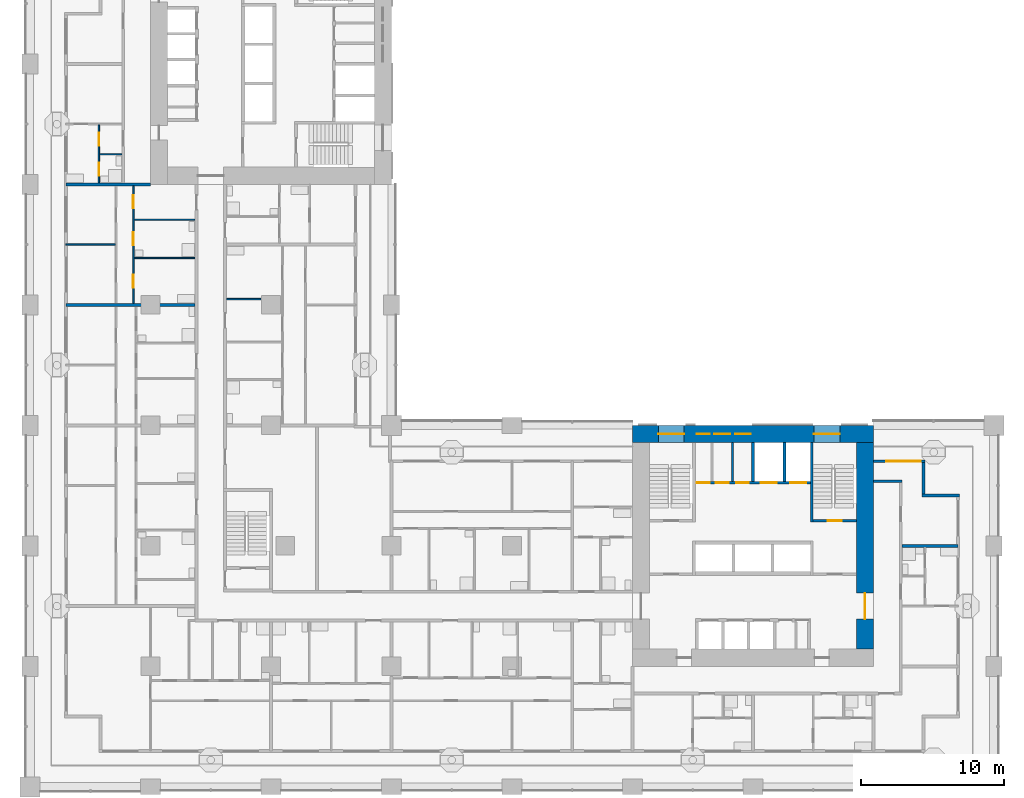
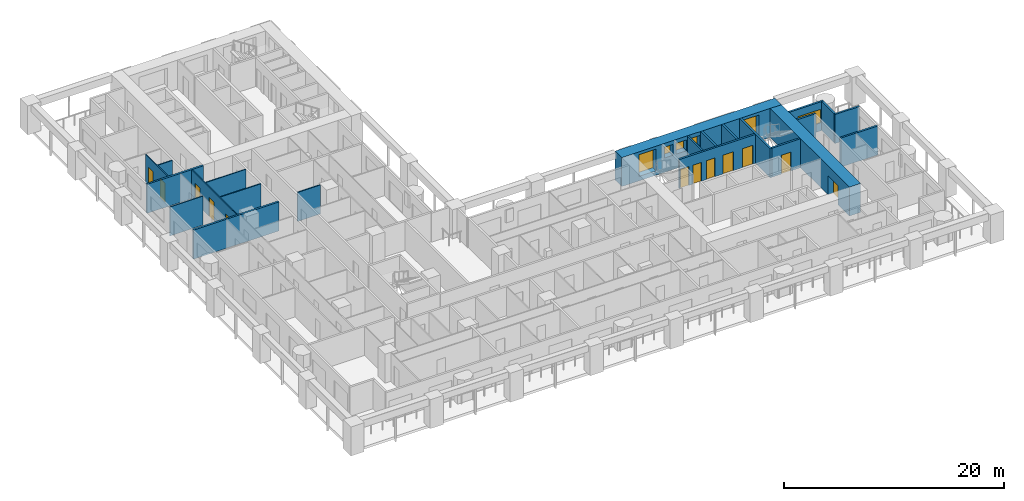
# One storey, part 8 of 22: 22 walls, 12 doors, 6 windows, 18 openings.
"""IFC4 building model written with IfcOpenShell, lengths in metres."""

import ifcopenshell
import ifcopenshell.guid

model = None  # the IFC model being written
_history = None  # IfcOwnerHistory: only IFC2X3 demands one
_inside = {}  # id of a spatial element -> (the spatial element, [elements in it])
_under = {}  # id of a project, library or spatial element -> (it, [spatial elements below it])
_declared = {}  # id of a project -> (the project, [libraries it declares])
_typed = {}  # id of a type object -> (the type object, [elements of that type])
_made_of = {}  # id of a material, layer set ... -> (it, [elements and type objects made of it])


def new_model(schema):
    """Start an empty IFC model of exactly this schema.

    Asked for "IFC4X3", IfcOpenShell would pick the latest addendum, in which some entities
    have other attributes; the version numbers below select the first issue.
    IFC2X3 requires an IfcOwnerHistory on every rooted entity: one is made here for all.
    """
    global model, _history
    if schema == "IFC4X3":
        model = ifcopenshell.file(schema_version=(4, 3, 0, 0))
    else:
        model = ifcopenshell.file(schema=schema)
    _inside.clear()
    _under.clear()
    _declared.clear()
    _typed.clear()
    _made_of.clear()
    _history = None
    if model.schema == "IFC2X3":
        org = make("IfcOrganization", Name="unknown")
        user = make(
            "IfcPersonAndOrganization",
            ThePerson=make("IfcPerson", FamilyName="unknown"),
            TheOrganization=org,
        )
        app = make(
            "IfcApplication",
            ApplicationDeveloper=org,
            Version="unknown",
            ApplicationFullName="unknown",
            ApplicationIdentifier="unknown",
        )
        _history = make(
            "IfcOwnerHistory",
            OwningUser=user,
            OwningApplication=app,
            ChangeAction="ADDED",
            CreationDate=0,
        )
    return model


def make(cls, **values):
    """One entity of the class cls with the attributes given. An attribute that is None is left unset."""
    return model.create_entity(
        cls, **{name: value for name, value in values.items() if value is not None}
    )


def rooted(cls, **values):
    """An entity with a GlobalId (a new one), such as an element, a storey or a relation."""
    return make(cls, GlobalId=ifcopenshell.guid.new(), OwnerHistory=_history, **values)


def si_unit(unit_type, name, prefix=None):
    """IfcSIUnit, for example si_unit("LENGTHUNIT", "METRE", prefix="MILLI")."""
    return make("IfcSIUnit", UnitType=unit_type, Prefix=prefix, Name=name)


def assignment(units):
    """IfcUnitAssignment: the units of a project."""
    return None if units is None else make("IfcUnitAssignment", Units=units)


def point(xyz):
    """IfcCartesianPoint."""
    return None if xyz is None else make("IfcCartesianPoint", Coordinates=xyz)


def direction(xyz):
    """IfcDirection."""
    return None if xyz is None else make("IfcDirection", DirectionRatios=xyz)


def frame(location, z_axis=None, x_axis=None):
    """IfcAxis2Placement3D, a coordinate frame: its origin and axes. An axis left out is left unset."""
    return make(
        "IfcAxis2Placement3D",
        Location=point(location),
        Axis=direction(z_axis),
        RefDirection=direction(x_axis),
    )


def frame_2d(location, x_axis=None):
    """IfcAxis2Placement2D, a coordinate frame in the plane: its origin and x axis."""
    return make(
        "IfcAxis2Placement2D", Location=point(location), RefDirection=direction(x_axis)
    )


def origin():
    """The frame at (0, 0, 0) with its axes left unset."""
    return frame((0.0, 0.0, 0.0))


def place(relative_to, where):
    """IfcLocalPlacement: puts the frame where relative to a parent placement (None: the world)."""
    return make(
        "IfcLocalPlacement", PlacementRelTo=relative_to, RelativePlacement=where
    )


def context(
    kind, dimensions, precision=None, world=None, true_north=None, identifier=None
):
    """IfcGeometricRepresentationContext, for example the 3D "Model" context."""
    return make(
        "IfcGeometricRepresentationContext",
        ContextIdentifier=identifier,
        ContextType=kind,
        CoordinateSpaceDimension=dimensions,
        Precision=precision,
        WorldCoordinateSystem=world,
        TrueNorth=true_north,
    )


def subcontext(parent, identifier, kind, view, scale=None):
    """IfcGeometricRepresentationSubContext, for example "Body" below "Model"."""
    return make(
        "IfcGeometricRepresentationSubContext",
        ContextIdentifier=identifier,
        ContextType=kind,
        ParentContext=parent,
        TargetScale=scale,
        TargetView=view,
    )


def project(units=None, contexts=None):
    """IfcProject with its units and contexts."""
    return rooted(
        "IfcProject",
        Name="project",
        RepresentationContexts=contexts,
        UnitsInContext=assignment(units),
    )


def spatial(cls, under=None, at=None, **own):
    """A site, building, storey or space (cls), placed at a placement, below another one or the project."""
    s = rooted(cls, ObjectPlacement=at, **own)
    if under is not None:
        _under.setdefault(under.id(), (under, []))[1].append(s)
    return s


def profile(cls, at=None, kind="AREA", **sizes):
    """A parametric profile (cls). Its sizes go by their IFC names, for example OverallWidth=200.0."""
    return make(cls, ProfileType=kind, Position=at, **sizes)


def rectangle(**sizes):
    """IfcRectangleProfileDef."""
    return profile("IfcRectangleProfileDef", **sizes)


def extrude(swept, where, along, depth):
    """IfcExtrudedAreaSolid: the profile swept, set in the frame where, extruded along a direction by depth."""
    return make(
        "IfcExtrudedAreaSolid",
        SweptArea=swept,
        Position=where,
        ExtrudedDirection=direction(along),
        Depth=depth,
    )


def shape(context_of_items, identifier, shape_type, items):
    """IfcShapeRepresentation: the items that make up one representation, for example the "Body"."""
    return make(
        "IfcShapeRepresentation",
        ContextOfItems=context_of_items,
        RepresentationIdentifier=identifier,
        RepresentationType=shape_type,
        Items=items,
    )


def material(Name=None, Category=None):
    """IfcMaterial."""
    return make("IfcMaterial", Name=Name, Category=Category)


def layer(
    of_material, thickness, ventilated=None, Name=None, Category=None, Priority=None
):
    """IfcMaterialLayer: one layer of a wall or slab, of a material (None: an air gap)."""
    return make(
        "IfcMaterialLayer",
        Material=of_material,
        LayerThickness=thickness,
        IsVentilated=ventilated,
        Name=Name,
        Category=Category,
        Priority=Priority,
    )


def layer_set(layers, Name=None):
    """IfcMaterialLayerSet."""
    return make("IfcMaterialLayerSet", MaterialLayers=layers, LayerSetName=Name)


def made_of(thing, what):
    """Note that an element or type object is made of a material, layer set ...; save() writes the relation."""
    if what is not None:
        _made_of.setdefault(what.id(), (what, []))[1].append(thing)
    return thing


def type_object(cls, material=None, **own):
    """A type object (cls), such as IfcWallType, which elements share."""
    return made_of(rooted(cls, **own), material)


def element(
    cls,
    number,
    at=None,
    inside=None,
    cuts=None,
    type_object=None,
    material=None,
    context=None,
    identifier="Body",
    shape_type=None,
    held_by="IfcProductDefinitionShape",
    body=None,
    shapes=None,
    **own,
):
    """One element of the class cls, such as IfcWall. Its Tag is "e" and its number.

    at: its placement. inside: the storey or other place that contains it. cuts: it is an
    opening in that element (IfcRelVoidsElement). A single representation is given by context,
    identifier, shape_type and body (its items); several are given by shapes. held_by: the class
    of the entity that holds the representations. save() writes the other relations.
    """
    e = rooted(cls, Tag="e%d" % number, ObjectPlacement=at, **own)
    if body is not None:
        shapes = [shape(context, identifier, shape_type, body)]
    if shapes is not None:
        e.Representation = make(held_by, Representations=shapes)
    if inside is not None:
        _inside.setdefault(inside.id(), (inside, []))[1].append(e)
    if cuts is not None:
        rooted(
            "IfcRelVoidsElement", RelatingBuildingElement=cuts, RelatedOpeningElement=e
        )
    if type_object is not None:
        _typed.setdefault(type_object.id(), (type_object, []))[1].append(e)
    return made_of(e, material)


def fill(opening, filler):
    """IfcRelFillsElement: the door or window that sits in an opening."""
    return rooted(
        "IfcRelFillsElement",
        RelatingOpeningElement=opening,
        RelatedBuildingElement=filler,
    )


def aggregate(whole, parts):
    """IfcRelAggregates: a whole, such as a stair, and the parts it consists of."""
    return rooted("IfcRelAggregates", RelatingObject=whole, RelatedObjects=parts)


def save(model, path):
    """Write the relations noted so far, then the file.

    IfcRelAggregates (storeys below a building ...), IfcRelContainedInSpatialStructure (elements
    in a storey), IfcRelDefinesByType, IfcRelAssociatesMaterial and IfcRelDeclares: one each for
    every whole, place, type object, material and project.
    """
    for whole, parts in _under.values():
        aggregate(whole, parts)
    for where, things in _inside.values():
        rooted(
            "IfcRelContainedInSpatialStructure",
            RelatedElements=things,
            RelatingStructure=where,
        )
    for kind, things in _typed.values():
        rooted("IfcRelDefinesByType", RelatedObjects=things, RelatingType=kind)
    for what, things in _made_of.values():
        rooted("IfcRelAssociatesMaterial", RelatedObjects=things, RelatingMaterial=what)
    for by, libraries in _declared.values():
        rooted("IfcRelDeclares", RelatingContext=by, RelatedDefinitions=libraries)
    model.write(path)


model = new_model("IFC4")

# Units and contexts
model_context = context("Model", 3, precision=1e-05, world=origin(), true_north=direction((0.0, 1.0)))
body_context = subcontext(model_context, "Body", "Model", "MODEL_VIEW")
ifc_project = project(units=[si_unit("LENGTHUNIT", "METRE"), si_unit("AREAUNIT", "SQUARE_METRE"), si_unit("VOLUMEUNIT", "CUBIC_METRE"), si_unit("PLANEANGLEUNIT", "RADIAN"), si_unit("MASSUNIT", "GRAM", prefix="KILO")], contexts=[model_context])

# Site, building, storey
site_placement = place(None, origin())
site = spatial("IfcSite", under=ifc_project, at=site_placement, CompositionType="ELEMENT")
building_placement = place(site_placement, origin())
building = spatial("IfcBuilding", under=site, at=building_placement, Name="Vermilion Gate Residences", CompositionType="ELEMENT")
storey_placement = place(building_placement, frame((0.0, 0.0, 60.199951171875)))
storey = spatial("IfcBuildingStorey", under=building, at=storey_placement, Name="L14", CompositionType="ELEMENT", Elevation=60.199951171875)

# Walls
ifc_material_1 = material(Name="Masonry blockwork", Category="masonry")
ifc_layer_1 = layer(ifc_material_1, 0.14990234375)
ifc_layer_set_1 = layer_set([ifc_layer_1], Name="BLOCKWORK PARTITION 150 EI 120")
wall_type_1 = type_object("IfcWallType", Name="BLOCKWORK PARTITION 150 EI 120", PredefinedType="PARTITIONING", material=ifc_layer_set_1)
wall_1_placement = place(storey_placement, frame((48.965087890625, 21.300048828125, 0.0), z_axis=(0.0, 0.0, 1.0), x_axis=(0.0, 1.0, 0.0)))
element("IfcWall", 1, at=wall_1_placement, inside=storey, type_object=wall_type_1, Name="Core room partition A14-NR-P1", PredefinedType="PARTITIONING", context=body_context, shape_type="SweptSolid", body=[
    extrude(rectangle(XDim=2.699951171875, YDim=0.14990234375, at=frame_2d((1.35009765625, 0.0))), origin(), (0.0, 0.0, 1.0), 3.219970703125),
])
ifc_material_2 = material(Name="Insulated steel stud wall with terracotta rainscreen", Category="masonry")
ifc_layer_2 = layer(ifc_material_2, 0.199951171875)
ifc_layer_set_2 = layer_set([ifc_layer_2], Name="EXTERNAL WALL 200 TERRACOTTA RAINSCREEN")
wall_type_2 = type_object("IfcWallType", Name="EXTERNAL WALL 200 TERRACOTTA RAINSCREEN", PredefinedType="SOLIDWALL", material=ifc_layer_set_2)
wall_2_placement = place(storey_placement, frame((64.800048828125, 20.300048828125, 0.0), z_axis=(0.0, 0.0, 1.0), x_axis=(-1.0, 0.0, 0.0)))
element("IfcWall", 2, at=wall_2_placement, inside=storey, type_object=wall_type_2, Name="External wall", PredefinedType="SOLIDWALL", context=body_context, shape_type="SweptSolid", body=[
    extrude(rectangle(XDim=2.60009765625, YDim=0.199951171875, at=frame_2d((1.300048828125, 0.0))), origin(), (0.0, 0.0, 1.0), 3.219970703125),
])
wall_3_placement = place(storey_placement, frame((62.300048828125, 20.39990234375, 0.0), z_axis=(0.0, 0.0, 1.0), x_axis=(0.0, 1.0, 0.0)))
element("IfcWall", 3, at=wall_3_placement, inside=storey, type_object=wall_type_2, Name="External wall", PredefinedType="SOLIDWALL", context=body_context, shape_type="SweptSolid", body=[
    extrude(rectangle(XDim=2.2001953125, YDim=0.199951171875, at=frame_2d((1.10009765625, 0.0))), origin(), (0.0, 0.0, 1.0), 3.219970703125),
])

# Wall, opening, window
wall_4_placement = place(storey_placement, frame((62.39990234375, 22.699951171875, 0.0), z_axis=(0.0, 0.0, 1.0), x_axis=(-1.0, 0.0, 0.0)))
wall_4 = element("IfcWall", 4, at=wall_4_placement, inside=storey, type_object=wall_type_2, Name="External wall", PredefinedType="SOLIDWALL", context=body_context, shape_type="SweptSolid", body=[
    extrude(rectangle(XDim=3.599853515625, YDim=0.199951171875, at=frame_2d((1.7998046875, 0.0))), origin(), (0.0, 0.0, 1.0), 3.219970703125),
])
opening_1_placement = place(wall_4_placement, frame((0.300048828125, 0.0, 0.89990234375)))
opening_1 = element("IfcOpeningElement", 5, at=opening_1_placement, cuts=wall_4, Name="Opening WE14032", PredefinedType="OPENING", context=body_context, shape_type="SweptSolid", body=[
    extrude(rectangle(XDim=2.39990234375, YDim=1.5, at=frame_2d((1.199951171875, 0.75))), frame((0.0, 0.10986328125, 0.0), z_axis=(0.0, -1.0, 0.0), x_axis=(1.0, 0.0, 0.0)), (0.0, 0.0, 1.0), 0.219970703125),
])
ifc_material_3 = material(Name="Aluminium and clear glass", Category="aluminium")
window_type_1 = type_object("IfcWindowType", Name="WINDOW 2400 X 1500", PartitioningType="SINGLE_PANEL", PredefinedType="WINDOW", material=ifc_material_3)
window_1_placement = place(opening_1_placement, origin())
window_1 = element("IfcWindow", 6, at=window_1_placement, inside=storey, type_object=window_type_1, Name="Window", OverallHeight=1.5, OverallWidth=2.39990234375, PartitioningType="SINGLE_PANEL", PredefinedType="WINDOW", context=body_context, shape_type="SweptSolid", body=[
    extrude(rectangle(XDim=2.39990234375, YDim=1.5, at=frame_2d((1.199951171875, 0.75))), frame((0.0, 0.030029296875, 0.0), z_axis=(0.0, -1.0, 0.0), x_axis=(1.0, 0.0, 0.0)), (0.0, 0.0, 1.0), 0.06005859375),
])
fill(opening_1, window_1)

# Walls
ifc_material_4 = material(Name="Plasterboard on steel studs", Category="steel")
ifc_layer_3 = layer(ifc_material_4, 0.10009765625)
ifc_layer_set_3 = layer_set([ifc_layer_3], Name="PARTITION 100")
wall_type_3 = type_object("IfcWallType", Name="PARTITION 100", PredefinedType="PARTITIONING", material=ifc_layer_set_3)
wall_5_placement = place(storey_placement, frame((13.699951171875, 34.0, 0.0), z_axis=(0.0, 0.0, 1.0), x_axis=(1.0, 0.0, 0.0)))
element("IfcWall", 7, at=wall_5_placement, inside=storey, type_object=wall_type_3, Name="Partition", PredefinedType="PARTITIONING", context=body_context, shape_type="SweptSolid", body=[
    extrude(rectangle(XDim=2.400146484375, YDim=0.10009765625, at=frame_2d((1.2001953125, 0.0))), origin(), (0.0, 0.0, 1.0), 3.219970703125),
])
wall_6_placement = place(storey_placement, frame((7.25, 36.866943359375, 0.0), z_axis=(0.0, 0.0, 1.0), x_axis=(1.0, 0.0, 0.0)))
element("IfcWall", 8, at=wall_6_placement, inside=storey, type_object=wall_type_3, Name="Partition", PredefinedType="PARTITIONING", context=body_context, shape_type="SweptSolid", body=[
    extrude(rectangle(XDim=4.25, YDim=0.10009765625, at=frame_2d((2.125, 0.0))), origin(), (0.0, 0.0, 1.0), 3.219970703125),
])
wall_7_placement = place(storey_placement, frame((2.5, 37.800048828125, 0.0), z_axis=(0.0, 0.0, 1.0), x_axis=(1.0, 0.0, 0.0)))
element("IfcWall", 9, at=wall_7_placement, inside=storey, type_object=wall_type_3, Name="Partition", PredefinedType="PARTITIONING", context=body_context, shape_type="SweptSolid", body=[
    extrude(rectangle(XDim=3.449951171875, YDim=0.10009765625, at=frame_2d((1.72509765625, 0.0))), origin(), (0.0, 0.0, 1.0), 3.219970703125),
])
wall_8_placement = place(storey_placement, frame((7.25, 39.532958984375, 0.0), z_axis=(0.0, 0.0, 1.0), x_axis=(1.0, 0.0, 0.0)))
element("IfcWall", 10, at=wall_8_placement, inside=storey, type_object=wall_type_3, Name="Partition", PredefinedType="PARTITIONING", context=body_context, shape_type="SweptSolid", body=[
    extrude(rectangle(XDim=4.25, YDim=0.10009765625, at=frame_2d((2.125, 0.0))), origin(), (0.0, 0.0, 1.0), 3.219970703125),
])
wall_9_placement = place(storey_placement, frame((4.85009765625, 44.10009765625, 0.0), z_axis=(0.0, 0.0, 1.0), x_axis=(1.0, 0.0, 0.0)))
element("IfcWall", 11, at=wall_9_placement, inside=storey, type_object=wall_type_3, Name="Partition", PredefinedType="PARTITIONING", context=body_context, shape_type="SweptSolid", body=[
    extrude(rectangle(XDim=1.5498046875, YDim=0.10009765625, at=frame_2d((0.77490234375, 0.0))), origin(), (0.0, 0.0, 1.0), 3.219970703125),
])

# Wall, openings, doors
wall_10_placement = place(storey_placement, frame((4.800048828125, 42.10009765625, 0.0), z_axis=(0.0, 0.0, 1.0), x_axis=(0.0, 1.0, 0.0)))
wall_10 = element("IfcWall", 12, at=wall_10_placement, inside=storey, type_object=wall_type_3, Name="Partition", PredefinedType="PARTITIONING", context=body_context, shape_type="SweptSolid", body=[
    extrude(rectangle(XDim=4.0498046875, YDim=0.10009765625, at=frame_2d((2.02490234375, 0.0))), origin(), (0.0, 0.0, 1.0), 3.219970703125),
])
opening_2_placement = place(wall_10_placement, frame((2.60009765625, 0.0, 0.0)))
opening_2 = element("IfcOpeningElement", 13, at=opening_2_placement, cuts=wall_10, Name="Opening DA13045", PredefinedType="OPENING", context=body_context, shape_type="SweptSolid", body=[
    extrude(rectangle(XDim=0.89990234375, YDim=2.10009765625, at=frame_2d((0.449951171875, 1.050048828125))), frame((0.0, 0.06005859375, 0.0), z_axis=(0.0, -1.0, 0.0), x_axis=(1.0, 0.0, 0.0)), (0.0, 0.0, 1.0), 0.1201171875),
])
opening_3_placement = place(wall_10_placement, frame((0.5, 0.0, 0.0)))
opening_3 = element("IfcOpeningElement", 14, at=opening_3_placement, cuts=wall_10, Name="Opening DA13046", PredefinedType="OPENING", context=body_context, shape_type="SweptSolid", body=[
    extrude(rectangle(XDim=0.89990234375, YDim=2.10009765625, at=frame_2d((0.449951171875, 1.050048828125))), frame((0.0, 0.06005859375, 0.0), z_axis=(0.0, -1.0, 0.0), x_axis=(1.0, 0.0, 0.0)), (0.0, 0.0, 1.0), 0.1201171875),
])
ifc_material_5 = material(Name="Timber", Category="wood")
door_type_1 = type_object("IfcDoorType", Name="INTERIOR DOOR 900 X 2100", OperationType="SINGLE_SWING_LEFT", PredefinedType="DOOR", material=ifc_material_5)
door_1_placement = place(opening_2_placement, origin())
door_1 = element("IfcDoor", 15, at=door_1_placement, inside=storey, type_object=door_type_1, Name="Interior door", OperationType="SINGLE_SWING_RIGHT", OverallHeight=2.10009765625, OverallWidth=0.89990234375, PredefinedType="DOOR", context=body_context, shape_type="SweptSolid", body=[
    extrude(rectangle(XDim=0.89990234375, YDim=2.10009765625, at=frame_2d((0.449951171875, 1.050048828125))), frame((0.0, 0.02490234375, 0.0), z_axis=(0.0, -1.0, 0.0), x_axis=(1.0, 0.0, 0.0)), (0.0, 0.0, 1.0), 0.050048828125),
])
fill(opening_2, door_1)
door_2_placement = place(opening_3_placement, frame((0.89990234375, 0.0, 0.0), z_axis=(0.0, 0.0, 1.0), x_axis=(-1.0, 0.0, 0.0)))
door_2 = element("IfcDoor", 16, at=door_2_placement, inside=storey, type_object=door_type_1, Name="Interior door", OperationType="SINGLE_SWING_RIGHT", OverallHeight=2.10009765625, OverallWidth=0.89990234375, PredefinedType="DOOR", context=body_context, shape_type="SweptSolid", body=[
    extrude(rectangle(XDim=0.89990234375, YDim=2.10009765625, at=frame_2d((0.449951171875, 1.050048828125))), frame((0.0, 0.02490234375, 0.0), z_axis=(0.0, -1.0, 0.0), x_axis=(1.0, 0.0, 0.0)), (0.0, 0.0, 1.0), 0.050048828125),
])
fill(opening_3, door_2)

wall_11_placement = place(storey_placement, frame((7.199951171875, 33.699951171875, 0.0), z_axis=(0.0, 0.0, 1.0), x_axis=(0.0, 1.0, 0.0)))
wall_11 = element("IfcWall", 17, at=wall_11_placement, inside=storey, type_object=wall_type_3, Name="Partition", PredefinedType="PARTITIONING", context=body_context, shape_type="SweptSolid", body=[
    extrude(rectangle(XDim=8.199951171875, YDim=0.10009765625, at=frame_2d((4.10009765625, 0.0))), origin(), (0.0, 0.0, 1.0), 3.219970703125),
])
opening_4_placement = place(wall_11_placement, frame((6.633056640625, 0.0, 0.0)))
opening_4 = element("IfcOpeningElement", 18, at=opening_4_placement, cuts=wall_11, Name="Opening DA13055", PredefinedType="OPENING", context=body_context, shape_type="SweptSolid", body=[
    extrude(rectangle(XDim=0.89990234375, YDim=2.10009765625, at=frame_2d((0.449951171875, 1.050048828125))), frame((0.0, 0.06005859375, 0.0), z_axis=(0.0, -1.0, 0.0), x_axis=(1.0, 0.0, 0.0)), (0.0, 0.0, 1.0), 0.1201171875),
])
opening_5_placement = place(wall_11_placement, frame((1.10009765625, 0.0, 0.0)))
opening_5 = element("IfcOpeningElement", 19, at=opening_5_placement, cuts=wall_11, Name="Opening DA13056", PredefinedType="OPENING", context=body_context, shape_type="SweptSolid", body=[
    extrude(rectangle(XDim=0.89990234375, YDim=2.10009765625, at=frame_2d((0.449951171875, 1.050048828125))), frame((0.0, 0.06005859375, 0.0), z_axis=(0.0, -1.0, 0.0), x_axis=(1.0, 0.0, 0.0)), (0.0, 0.0, 1.0), 0.1201171875),
])
opening_6_placement = place(wall_11_placement, frame((4.06689453125, 0.0, 0.0)))
opening_6 = element("IfcOpeningElement", 20, at=opening_6_placement, cuts=wall_11, Name="Opening DA13057", PredefinedType="OPENING", context=body_context, shape_type="SweptSolid", body=[
    extrude(rectangle(XDim=0.89990234375, YDim=2.10009765625, at=frame_2d((0.449951171875, 1.050048828125))), frame((0.0, 0.06005859375, 0.0), z_axis=(0.0, -1.0, 0.0), x_axis=(1.0, 0.0, 0.0)), (0.0, 0.0, 1.0), 0.1201171875),
])
door_3_placement = place(opening_4_placement, origin())
door_3 = element("IfcDoor", 21, at=door_3_placement, inside=storey, type_object=door_type_1, Name="Interior door", OperationType="SINGLE_SWING_RIGHT", OverallHeight=2.10009765625, OverallWidth=0.89990234375, PredefinedType="DOOR", context=body_context, shape_type="SweptSolid", body=[
    extrude(rectangle(XDim=0.89990234375, YDim=2.10009765625, at=frame_2d((0.449951171875, 1.050048828125))), frame((0.0, 0.02490234375, 0.0), z_axis=(0.0, -1.0, 0.0), x_axis=(1.0, 0.0, 0.0)), (0.0, 0.0, 1.0), 0.050048828125),
])
fill(opening_4, door_3)
door_4_placement = place(opening_5_placement, frame((0.89990234375, 0.0, 0.0), z_axis=(0.0, 0.0, 1.0), x_axis=(-1.0, 0.0, 0.0)))
door_4 = element("IfcDoor", 22, at=door_4_placement, inside=storey, type_object=door_type_1, Name="Interior door", OperationType="SINGLE_SWING_RIGHT", OverallHeight=2.10009765625, OverallWidth=0.89990234375, PredefinedType="DOOR", context=body_context, shape_type="SweptSolid", body=[
    extrude(rectangle(XDim=0.89990234375, YDim=2.10009765625, at=frame_2d((0.449951171875, 1.050048828125))), frame((0.0, 0.02490234375, 0.0), z_axis=(0.0, -1.0, 0.0), x_axis=(1.0, 0.0, 0.0)), (0.0, 0.0, 1.0), 0.050048828125),
])
fill(opening_5, door_4)
door_5_placement = place(opening_6_placement, frame((0.89990234375, 0.0, 0.0), z_axis=(0.0, 0.0, 1.0), x_axis=(-1.0, 0.0, 0.0)))
door_5 = element("IfcDoor", 23, at=door_5_placement, inside=storey, type_object=door_type_1, Name="Interior door", OperationType="SINGLE_SWING_RIGHT", OverallHeight=2.10009765625, OverallWidth=0.89990234375, PredefinedType="DOOR", context=body_context, shape_type="SweptSolid", body=[
    extrude(rectangle(XDim=0.89990234375, YDim=2.10009765625, at=frame_2d((0.449951171875, 1.050048828125))), frame((0.0, 0.02490234375, 0.0), z_axis=(0.0, -1.0, 0.0), x_axis=(1.0, 0.0, 0.0)), (0.0, 0.0, 1.0), 0.050048828125),
])
fill(opening_6, door_5)

# Walls
ifc_material_6 = material(Name="Fire-rated plasterboard on steel studs", Category="steel")
ifc_layer_4 = layer(ifc_material_6, 0.199951171875)
ifc_layer_set_4 = layer_set([ifc_layer_4], Name="PARTY WALL 200 EI 120")
wall_type_4 = type_object("IfcWallType", Name="PARTY WALL 200 EI 120", PredefinedType="PARTITIONING", material=ifc_layer_set_4)
wall_12_placement = place(storey_placement, frame((60.800048828125, 16.800048828125, 0.0), z_axis=(0.0, 0.0, 1.0), x_axis=(1.0, 0.0, 0.0)))
element("IfcWall", 24, at=wall_12_placement, inside=storey, type_object=wall_type_4, Name="Party and corridor wall", PredefinedType="PARTITIONING", context=body_context, shape_type="SweptSolid", body=[
    extrude(rectangle(XDim=3.89990234375, YDim=0.199951171875, at=frame_2d((1.949951171875, 0.0))), origin(), (0.0, 0.0, 1.0), 3.219970703125),
])
wall_13_placement = place(storey_placement, frame((58.800048828125, 21.300048828125, 0.0), z_axis=(0.0, 0.0, 1.0), x_axis=(1.0, 0.0, 0.0)))
element("IfcWall", 25, at=wall_13_placement, inside=storey, type_object=wall_type_4, Name="Party and corridor wall", PredefinedType="PARTITIONING", context=body_context, shape_type="SweptSolid", body=[
    extrude(rectangle(XDim=2.0, YDim=0.199951171875, at=frame_2d((1.0, 0.0))), origin(), (0.0, 0.0, 1.0), 3.219970703125),
])
wall_14_placement = place(storey_placement, frame((2.5, 33.60009765625, 0.0), z_axis=(0.0, 0.0, 1.0), x_axis=(1.0, 0.0, 0.0)))
element("IfcWall", 26, at=wall_14_placement, inside=storey, type_object=wall_type_4, Name="Party and corridor wall", PredefinedType="PARTITIONING", context=body_context, shape_type="SweptSolid", body=[
    extrude(rectangle(XDim=9.0, YDim=0.199951171875, at=frame_2d((4.5, 0.0))), origin(), (0.0, 0.0, 1.0), 3.219970703125),
])
wall_15_placement = place(storey_placement, frame((2.5, 42.0, 0.0), z_axis=(0.0, 0.0, 1.0), x_axis=(1.0, 0.0, 0.0)))
element("IfcWall", 27, at=wall_15_placement, inside=storey, type_object=wall_type_4, Name="Party and corridor wall", PredefinedType="PARTITIONING", context=body_context, shape_type="SweptSolid", body=[
    extrude(rectangle(XDim=5.89990234375, YDim=0.199951171875, at=frame_2d((2.949951171875, 0.0))), origin(), (0.0, 0.0, 1.0), 3.219970703125),
])
ifc_material_7 = material(Name="Concrete C60", Category="concrete")
ifc_layer_5 = layer(ifc_material_7, 0.199951171875)
ifc_layer_set_5 = layer_set([ifc_layer_5], Name="RC CORE INTERNAL WALL 200 C60")
wall_type_5 = type_object("IfcWallType", Name="RC CORE INTERNAL WALL 200 C60", PredefinedType="SHEAR", material=ifc_layer_set_5)
for number, where, z_axis, x_axis, name in (
    (28, (50.39990234375, 21.300048828125, 0.0), (0.0, 0.0, 1.0), (0.0, 1.0, 0.0), "Core internal wall A14-FF-D0"),
    (29, (52.60009765625, 21.300048828125, 0.0), (0.0, 0.0, 1.0), (0.0, 1.0, 0.0), "Core internal wall A14-FF-D1"),
):
    element("IfcWall", number, at=place(storey_placement, frame(where, z_axis=z_axis, x_axis=x_axis)), inside=storey, type_object=wall_type_5, Name=name, PredefinedType="SHEAR", context=body_context, shape_type="SweptSolid", body=[
        extrude(rectangle(XDim=2.699951171875, YDim=0.199951171875, at=frame_2d((1.35009765625, 0.0))), origin(), (0.0, 0.0, 1.0), 3.219970703125),
    ])

# Wall, openings, doors
wall_16_placement = place(storey_placement, frame((46.39990234375, 21.199951171875, 0.0), z_axis=(0.0, 0.0, 1.0), x_axis=(1.0, 0.0, 0.0)))
wall_16 = element("IfcWall", 30, at=wall_16_placement, inside=storey, type_object=wall_type_5, Name="Core internal wall A14-FF-F", PredefinedType="SHEAR", context=body_context, shape_type="SweptSolid", body=[
    extrude(rectangle(XDim=8.0, YDim=0.199951171875, at=frame_2d((4.0, 0.0))), origin(), (0.0, 0.0, 1.0), 3.219970703125),
])
opening_7_placement = place(wall_16_placement, frame((0.090087890625, 0.0, 0.0)))
opening_7 = element("IfcOpeningElement", 31, at=opening_7_placement, cuts=wall_16, Name="Opening DK14010", PredefinedType="OPENING", context=body_context, shape_type="SweptSolid", body=[
    extrude(rectangle(XDim=0.89990234375, YDim=2.10009765625, at=frame_2d((0.449951171875, 1.050048828125))), frame((0.0, 0.10986328125, 0.0), z_axis=(0.0, -1.0, 0.0), x_axis=(1.0, 0.0, 0.0)), (0.0, 0.0, 1.0), 0.219970703125),
])
opening_8_placement = place(wall_16_placement, frame((1.409912109375, 0.0, 0.0)))
opening_8 = element("IfcOpeningElement", 32, at=opening_8_placement, cuts=wall_16, Name="Opening DK14011", PredefinedType="OPENING", context=body_context, shape_type="SweptSolid", body=[
    extrude(rectangle(XDim=0.89990234375, YDim=2.10009765625, at=frame_2d((0.449951171875, 1.050048828125))), frame((0.0, 0.10986328125, 0.0), z_axis=(0.0, -1.0, 0.0), x_axis=(1.0, 0.0, 0.0)), (0.0, 0.0, 1.0), 0.219970703125),
])
opening_9_placement = place(wall_16_placement, frame((2.820068359375, 0.0, 0.0)))
opening_9 = element("IfcOpeningElement", 33, at=opening_9_placement, cuts=wall_16, Name="Opening DK14012", PredefinedType="OPENING", context=body_context, shape_type="SweptSolid", body=[
    extrude(rectangle(XDim=0.89990234375, YDim=2.10009765625, at=frame_2d((0.449951171875, 1.050048828125))), frame((0.0, 0.10986328125, 0.0), z_axis=(0.0, -1.0, 0.0), x_axis=(1.0, 0.0, 0.0)), (0.0, 0.0, 1.0), 0.219970703125),
])
opening_10_placement = place(wall_16_placement, frame((4.550048828125, 0.0, 0.0)))
opening_10 = element("IfcOpeningElement", 34, at=opening_10_placement, cuts=wall_16, Name="Opening LD", PredefinedType="OPENING", context=body_context, shape_type="SweptSolid", body=[
    extrude(rectangle(XDim=1.10009765625, YDim=2.10009765625, at=frame_2d((0.550048828125, 1.050048828125))), frame((0.0, 0.10986328125, 0.0), z_axis=(0.0, -1.0, 0.0), x_axis=(1.0, 0.0, 0.0)), (0.0, 0.0, 1.0), 0.219970703125),
])
opening_11_placement = place(wall_16_placement, frame((6.60009765625, 0.0, 0.0)))
opening_11 = element("IfcOpeningElement", 35, at=opening_11_placement, cuts=wall_16, Name="Opening LD", PredefinedType="OPENING", context=body_context, shape_type="SweptSolid", body=[
    extrude(rectangle(XDim=1.10009765625, YDim=2.10009765625, at=frame_2d((0.550048828125, 1.050048828125))), frame((0.0, 0.10986328125, 0.0), z_axis=(0.0, -1.0, 0.0), x_axis=(1.0, 0.0, 0.0)), (0.0, 0.0, 1.0), 0.219970703125),
])
ifc_material_8 = material(Name="Stainless steel", Category="steel")
door_type_2 = type_object("IfcDoorType", Name="LIFT LANDING DOOR E60 1100 X 2100", OperationType="DOUBLE_DOOR_SLIDING", PredefinedType="DOOR", material=ifc_material_8)
door_6_placement = place(opening_10_placement, origin())
door_6 = element("IfcDoor", 36, at=door_6_placement, inside=storey, type_object=door_type_2, Name="Lift landing door LFA1", OperationType="DOUBLE_DOOR_SLIDING", OverallHeight=2.10009765625, OverallWidth=1.10009765625, PredefinedType="DOOR", context=body_context, shape_type="SweptSolid", body=[
    extrude(rectangle(XDim=1.10009765625, YDim=2.10009765625, at=frame_2d((0.550048828125, 1.050048828125))), frame((0.0, 0.02490234375, 0.0), z_axis=(0.0, -1.0, 0.0), x_axis=(1.0, 0.0, 0.0)), (0.0, 0.0, 1.0), 0.050048828125),
])
fill(opening_10, door_6)
door_7_placement = place(opening_11_placement, origin())
door_7 = element("IfcDoor", 37, at=door_7_placement, inside=storey, type_object=door_type_2, Name="Lift landing door LCA1", OperationType="DOUBLE_DOOR_SLIDING", OverallHeight=2.10009765625, OverallWidth=1.10009765625, PredefinedType="DOOR", context=body_context, shape_type="SweptSolid", body=[
    extrude(rectangle(XDim=1.10009765625, YDim=2.10009765625, at=frame_2d((0.550048828125, 1.050048828125))), frame((0.0, 0.02490234375, 0.0), z_axis=(0.0, -1.0, 0.0), x_axis=(1.0, 0.0, 0.0)), (0.0, 0.0, 1.0), 0.050048828125),
])
fill(opening_11, door_7)
ifc_material_9 = material(Name="Steel", Category="steel")
door_type_3 = type_object("IfcDoorType", Name="SERVICE ROOM DOOR FD60 900 X 2100", OperationType="SINGLE_SWING_LEFT", PredefinedType="DOOR", material=ifc_material_9)
door_8_placement = place(opening_7_placement, origin())
door_8 = element("IfcDoor", 38, at=door_8_placement, inside=storey, type_object=door_type_3, Name="Housekeeping store A14", OperationType="SINGLE_SWING_RIGHT", OverallHeight=2.10009765625, OverallWidth=0.89990234375, PredefinedType="DOOR", context=body_context, shape_type="SweptSolid", body=[
    extrude(rectangle(XDim=0.89990234375, YDim=2.10009765625, at=frame_2d((0.449951171875, 1.050048828125))), frame((0.0, 0.02490234375, 0.0), z_axis=(0.0, -1.0, 0.0), x_axis=(1.0, 0.0, 0.0)), (0.0, 0.0, 1.0), 0.050048828125),
])
fill(opening_7, door_8)
door_9_placement = place(opening_8_placement, origin())
door_9 = element("IfcDoor", 39, at=door_9_placement, inside=storey, type_object=door_type_3, Name="Mail room A14", OperationType="SINGLE_SWING_LEFT", OverallHeight=2.10009765625, OverallWidth=0.89990234375, PredefinedType="DOOR", context=body_context, shape_type="SweptSolid", body=[
    extrude(rectangle(XDim=0.89990234375, YDim=2.10009765625, at=frame_2d((0.449951171875, 1.050048828125))), frame((0.0, 0.02490234375, 0.0), z_axis=(0.0, -1.0, 0.0), x_axis=(1.0, 0.0, 0.0)), (0.0, 0.0, 1.0), 0.050048828125),
])
fill(opening_8, door_9)
door_10_placement = place(opening_9_placement, origin())
door_10 = element("IfcDoor", 40, at=door_10_placement, inside=storey, type_object=door_type_3, Name="Electrical riser A14", OperationType="SINGLE_SWING_LEFT", OverallHeight=2.10009765625, OverallWidth=0.89990234375, PredefinedType="DOOR", context=body_context, shape_type="SweptSolid", body=[
    extrude(rectangle(XDim=0.89990234375, YDim=2.10009765625, at=frame_2d((0.449951171875, 1.050048828125))), frame((0.0, 0.02490234375, 0.0), z_axis=(0.0, -1.0, 0.0), x_axis=(1.0, 0.0, 0.0)), (0.0, 0.0, 1.0), 0.050048828125),
])
fill(opening_9, door_10)

# Wall
wall_17_placement = place(storey_placement, frame((54.5, 18.449951171875, 0.0), z_axis=(0.0, 0.0, 1.0), x_axis=(0.0, 1.0, 0.0)))
element("IfcWall", 41, at=wall_17_placement, inside=storey, type_object=wall_type_5, Name="Core internal wall A14-EDIV2", PredefinedType="SHEAR", context=body_context, shape_type="SweptSolid", body=[
    extrude(rectangle(XDim=5.550048828125, YDim=0.199951171875, at=frame_2d((2.77490234375, 0.0))), origin(), (0.0, 0.0, 1.0), 3.219970703125),
])

# Wall, opening, door
wall_18_placement = place(storey_placement, frame((54.60009765625, 18.550048828125, 0.0), z_axis=(0.0, 0.0, 1.0), x_axis=(1.0, 0.0, 0.0)))
wall_18 = element("IfcWall", 42, at=wall_18_placement, inside=storey, type_object=wall_type_5, Name="Core internal wall A14-STE-S", PredefinedType="SHEAR", context=body_context, shape_type="SweptSolid", body=[
    extrude(rectangle(XDim=3.0, YDim=0.199951171875, at=frame_2d((1.5, 0.0))), origin(), (0.0, 0.0, 1.0), 3.219970703125),
])
opening_12_placement = place(wall_18_placement, frame((1.0, 0.0, 0.0)))
opening_12 = element("IfcOpeningElement", 43, at=opening_12_placement, cuts=wall_18, Name="Opening DK14018", PredefinedType="OPENING", context=body_context, shape_type="SweptSolid", body=[
    extrude(rectangle(XDim=1.0, YDim=2.10009765625, at=frame_2d((0.5, 1.050048828125))), frame((0.0, 0.10986328125, 0.0), z_axis=(0.0, -1.0, 0.0), x_axis=(1.0, 0.0, 0.0)), (0.0, 0.0, 1.0), 0.219970703125),
])
ifc_material_10 = material(Name="Steel", Category="steel")
door_type_4 = type_object("IfcDoorType", Name="FIRE DOOR FD60 1000 X 2100", OperationType="SINGLE_SWING_LEFT", PredefinedType="DOOR", material=ifc_material_10)
door_11_placement = place(opening_12_placement, origin())
door_11 = element("IfcDoor", 44, at=door_11_placement, inside=storey, type_object=door_type_4, Name="Stair door A14", OperationType="SINGLE_SWING_LEFT", OverallHeight=2.10009765625, OverallWidth=1.0, PredefinedType="DOOR", context=body_context, shape_type="SweptSolid", body=[
    extrude(rectangle(XDim=1.0, YDim=2.10009765625, at=frame_2d((0.5, 1.050048828125))), frame((0.0, 0.02490234375, 0.0), z_axis=(0.0, -1.0, 0.0), x_axis=(1.0, 0.0, 0.0)), (0.0, 0.0, 1.0), 0.050048828125),
])
fill(opening_12, door_11)

ifc_material_11 = material(Name="Concrete C80", Category="concrete")
ifc_layer_6 = layer(ifc_material_11, 1.199951171875)
ifc_layer_set_6 = layer_set([ifc_layer_6], Name="RC CORE WALL 1200 C80")
wall_type_6 = type_object("IfcWallType", Name="RC CORE WALL 1200 C80", PredefinedType="SHEAR", material=ifc_layer_set_6)
wall_19_placement = place(storey_placement, frame((58.199951171875, 9.60009765625, 0.0), z_axis=(0.0, 0.0, 1.0), x_axis=(0.0, 1.0, 0.0)))
wall_19 = element("IfcWall", 45, at=wall_19_placement, inside=storey, type_object=wall_type_6, Name="Core wall A14-OUT-BK", PredefinedType="SHEAR", context=body_context, shape_type="SweptSolid", body=[
    extrude(rectangle(XDim=14.39990234375, YDim=1.199951171875, at=frame_2d((7.199951171875, 0.0))), origin(), (0.0, 0.0, 1.0), 3.219970703125),
])
opening_13_placement = place(wall_19_placement, frame((2.10009765625, 0.0, 0.0)))
opening_13 = element("IfcOpeningElement", 46, at=opening_13_placement, cuts=wall_19, Name="Opening DK14004", PredefinedType="OPENING", context=body_context, shape_type="SweptSolid", body=[
    extrude(rectangle(XDim=1.800048828125, YDim=2.10009765625, at=frame_2d((0.89990234375, 1.050048828125))), frame((0.0, 0.60986328125, 0.0), z_axis=(0.0, -1.0, 0.0), x_axis=(1.0, 0.0, 0.0)), (0.0, 0.0, 1.0), 1.219970703125),
])
ifc_material_12 = material(Name="Steel", Category="steel")
door_type_5 = type_object("IfcDoorType", Name="CORE LOBBY DOOR FD60 1800 X 2100", OperationType="DOUBLE_DOOR_SINGLE_SWING", PredefinedType="DOOR", material=ifc_material_12)
door_12_placement = place(opening_13_placement, origin())
door_12 = element("IfcDoor", 47, at=door_12_placement, inside=storey, type_object=door_type_5, Name="Core lobby door A14", OperationType="DOUBLE_DOOR_SINGLE_SWING", OverallHeight=2.10009765625, OverallWidth=1.800048828125, PredefinedType="DOOR", context=body_context, shape_type="SweptSolid", body=[
    extrude(rectangle(XDim=1.800048828125, YDim=2.10009765625, at=frame_2d((0.89990234375, 1.050048828125))), frame((0.0, 0.02490234375, 0.0), z_axis=(0.0, -1.0, 0.0), x_axis=(1.0, 0.0, 0.0)), (0.0, 0.0, 1.0), 0.050048828125),
])
fill(opening_13, door_12)

# Wall, openings, windows
ifc_material_13 = material(Name="Concrete C80 red-oxide pigmented", Category="concrete")
ifc_layer_7 = layer(ifc_material_13, 1.199951171875)
ifc_layer_set_7 = layer_set([ifc_layer_7], Name="RC CORE WALL 1200 C80 RED OXIDE")
wall_type_7 = type_object("IfcWallType", Name="RC CORE WALL 1200 C80 RED OXIDE", PredefinedType="SHEAR", material=ifc_layer_set_7)
wall_20_placement = place(storey_placement, frame((42.0, 24.60009765625, 0.0), z_axis=(0.0, 0.0, 1.0), x_axis=(1.0, 0.0, 0.0)))
wall_20 = element("IfcWall", 48, at=wall_20_placement, inside=storey, type_object=wall_type_7, Name="Core wall A14-OUT-B1", PredefinedType="SHEAR", context=body_context, shape_type="SweptSolid", body=[
    extrude(rectangle(XDim=16.800048828125, YDim=1.199951171875, at=frame_2d((8.39990234375, 0.0))), origin(), (0.0, 0.0, 1.0), 3.219970703125),
])
opening_14_placement = place(wall_20_placement, frame((1.800048828125, 0.0, 0.5)))
opening_14 = element("IfcOpeningElement", 49, at=opening_14_placement, cuts=wall_20, Name="Opening WKA1401", PredefinedType="OPENING", context=body_context, shape_type="SweptSolid", body=[
    extrude(rectangle(XDim=1.800048828125, YDim=2.39990234375, at=frame_2d((0.89990234375, 1.199951171875))), frame((0.0, 0.60986328125, 0.0), z_axis=(0.0, -1.0, 0.0), x_axis=(1.0, 0.0, 0.0)), (0.0, 0.0, 1.0), 1.219970703125),
])
opening_15_placement = place(wall_20_placement, frame((4.489990234375, 0.0, 1.60009765625)))
opening_15 = element("IfcOpeningElement", 50, at=opening_15_placement, cuts=wall_20, Name="Opening WKA1402", PredefinedType="OPENING", context=body_context, shape_type="SweptSolid", body=[
    extrude(rectangle(XDim=0.89990234375, YDim=1.199951171875, at=frame_2d((0.449951171875, 0.60009765625))), frame((0.0, 0.60986328125, 0.0), z_axis=(0.0, -1.0, 0.0), x_axis=(1.0, 0.0, 0.0)), (0.0, 0.0, 1.0), 1.219970703125),
])
opening_16_placement = place(wall_20_placement, frame((5.7099609375, 0.0, 1.60009765625)))
opening_16 = element("IfcOpeningElement", 51, at=opening_16_placement, cuts=wall_20, Name="Opening WKA1403", PredefinedType="OPENING", context=body_context, shape_type="SweptSolid", body=[
    extrude(rectangle(XDim=1.10009765625, YDim=1.199951171875, at=frame_2d((0.550048828125, 0.60009765625))), frame((0.0, 0.60986328125, 0.0), z_axis=(0.0, -1.0, 0.0), x_axis=(1.0, 0.0, 0.0)), (0.0, 0.0, 1.0), 1.219970703125),
])
opening_17_placement = place(wall_20_placement, frame((7.14990234375, 0.0, 1.60009765625)))
opening_17 = element("IfcOpeningElement", 52, at=opening_17_placement, cuts=wall_20, Name="Opening WKA1404", PredefinedType="OPENING", context=body_context, shape_type="SweptSolid", body=[
    extrude(rectangle(XDim=1.10009765625, YDim=1.199951171875, at=frame_2d((0.550048828125, 0.60009765625))), frame((0.0, 0.60986328125, 0.0), z_axis=(0.0, -1.0, 0.0), x_axis=(1.0, 0.0, 0.0)), (0.0, 0.0, 1.0), 1.219970703125),
])
opening_18_placement = place(wall_20_placement, frame((12.64990234375, 0.0, 0.5)))
opening_18 = element("IfcOpeningElement", 53, at=opening_18_placement, cuts=wall_20, Name="Opening WKA1405", PredefinedType="OPENING", context=body_context, shape_type="SweptSolid", body=[
    extrude(rectangle(XDim=1.800048828125, YDim=2.39990234375, at=frame_2d((0.89990234375, 1.199951171875))), frame((0.0, 0.60986328125, 0.0), z_axis=(0.0, -1.0, 0.0), x_axis=(1.0, 0.0, 0.0)), (0.0, 0.0, 1.0), 1.219970703125),
])
ifc_material_14 = material(Name="Aluminium frame with louvre blades", Category="aluminium")
window_type_2 = type_object("IfcWindowType", Name="CORE LOUVRE 1100 X 1200", PartitioningType="SINGLE_PANEL", PredefinedType="WINDOW", material=ifc_material_14)
window_2_placement = place(opening_16_placement, origin())
window_2 = element("IfcWindow", 54, at=window_2_placement, inside=storey, type_object=window_type_2, Name="Core louvre", OverallHeight=1.199951171875, OverallWidth=1.10009765625, PartitioningType="SINGLE_PANEL", PredefinedType="WINDOW", context=body_context, shape_type="SweptSolid", body=[
    extrude(rectangle(XDim=1.10009765625, YDim=1.199951171875, at=frame_2d((0.550048828125, 0.60009765625))), frame((0.0, 0.030029296875, 0.0), z_axis=(0.0, -1.0, 0.0), x_axis=(1.0, 0.0, 0.0)), (0.0, 0.0, 1.0), 0.06005859375),
])
fill(opening_16, window_2)
window_3_placement = place(opening_17_placement, origin())
window_3 = element("IfcWindow", 55, at=window_3_placement, inside=storey, type_object=window_type_2, Name="Core louvre", OverallHeight=1.199951171875, OverallWidth=1.10009765625, PartitioningType="SINGLE_PANEL", PredefinedType="WINDOW", context=body_context, shape_type="SweptSolid", body=[
    extrude(rectangle(XDim=1.10009765625, YDim=1.199951171875, at=frame_2d((0.550048828125, 0.60009765625))), frame((0.0, 0.030029296875, 0.0), z_axis=(0.0, -1.0, 0.0), x_axis=(1.0, 0.0, 0.0)), (0.0, 0.0, 1.0), 0.06005859375),
])
fill(opening_17, window_3)
ifc_material_15 = material(Name="Aluminium frame with louvre blades", Category="aluminium")
window_type_3 = type_object("IfcWindowType", Name="CORE LOUVRE 900 X 1200", PartitioningType="SINGLE_PANEL", PredefinedType="WINDOW", material=ifc_material_15)
window_4_placement = place(opening_15_placement, origin())
window_4 = element("IfcWindow", 56, at=window_4_placement, inside=storey, type_object=window_type_3, Name="Core louvre", OverallHeight=1.199951171875, OverallWidth=0.89990234375, PartitioningType="SINGLE_PANEL", PredefinedType="WINDOW", context=body_context, shape_type="SweptSolid", body=[
    extrude(rectangle(XDim=0.89990234375, YDim=1.199951171875, at=frame_2d((0.449951171875, 0.60009765625))), frame((0.0, 0.030029296875, 0.0), z_axis=(0.0, -1.0, 0.0), x_axis=(1.0, 0.0, 0.0)), (0.0, 0.0, 1.0), 0.06005859375),
])
fill(opening_15, window_4)
ifc_material_16 = material(Name="Aluminium and clear glass", Category="aluminium")
window_type_4 = type_object("IfcWindowType", Name="CORE STAIR WINDOW 1800 X 2400", PartitioningType="SINGLE_PANEL", PredefinedType="WINDOW", material=ifc_material_16)
window_5_placement = place(opening_14_placement, origin())
window_5 = element("IfcWindow", 57, at=window_5_placement, inside=storey, type_object=window_type_4, Name="Core stair window", OverallHeight=2.39990234375, OverallWidth=1.800048828125, PartitioningType="SINGLE_PANEL", PredefinedType="WINDOW", context=body_context, shape_type="SweptSolid", body=[
    extrude(rectangle(XDim=1.800048828125, YDim=2.39990234375, at=frame_2d((0.89990234375, 1.199951171875))), frame((0.0, 0.030029296875, 0.0), z_axis=(0.0, -1.0, 0.0), x_axis=(1.0, 0.0, 0.0)), (0.0, 0.0, 1.0), 0.06005859375),
])
fill(opening_14, window_5)
window_6_placement = place(opening_18_placement, origin())
window_6 = element("IfcWindow", 58, at=window_6_placement, inside=storey, type_object=window_type_4, Name="Core stair window", OverallHeight=2.39990234375, OverallWidth=1.800048828125, PartitioningType="SINGLE_PANEL", PredefinedType="WINDOW", context=body_context, shape_type="SweptSolid", body=[
    extrude(rectangle(XDim=1.800048828125, YDim=2.39990234375, at=frame_2d((0.89990234375, 1.199951171875))), frame((0.0, 0.030029296875, 0.0), z_axis=(0.0, -1.0, 0.0), x_axis=(1.0, 0.0, 0.0)), (0.0, 0.0, 1.0), 0.06005859375),
])
fill(opening_18, window_6)

save(model, "model.ifc")
